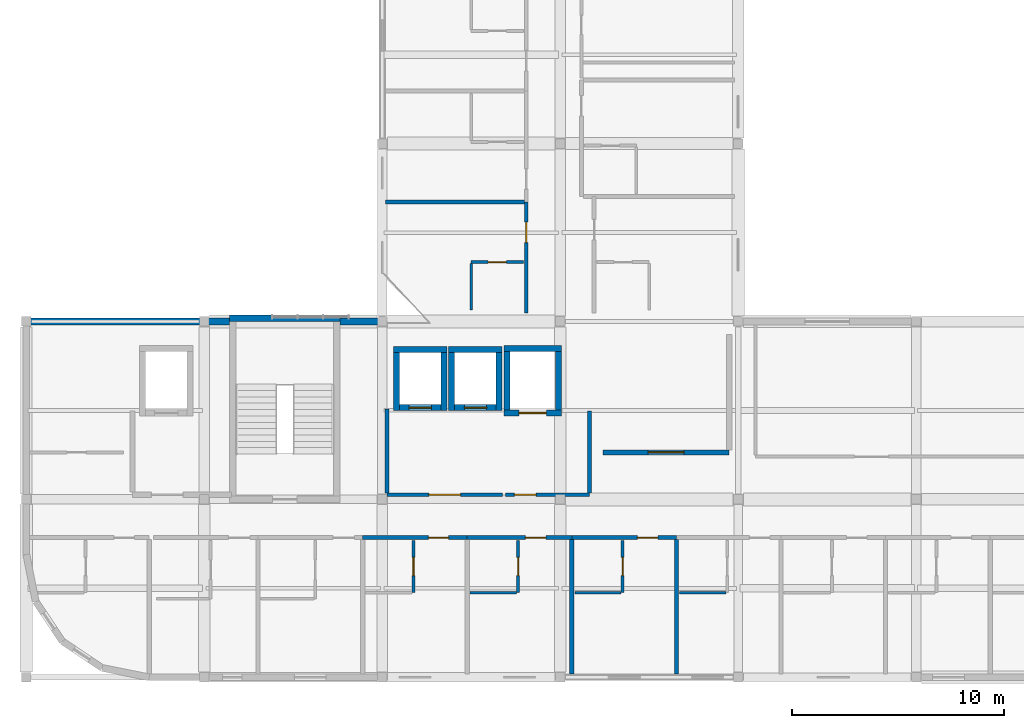
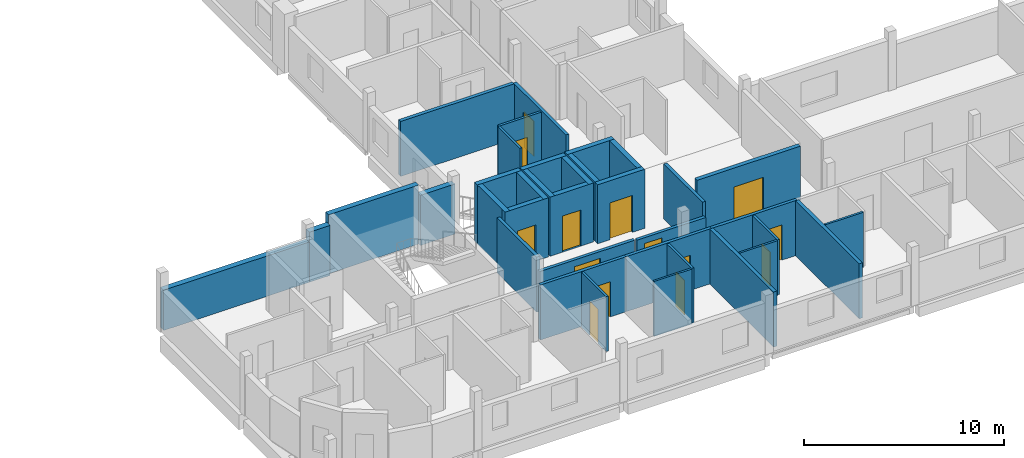
# One storey, part 10 of 19: 36 walls, 14 doors, 14 openings.
"""IFC4 building model written with IfcOpenShell, lengths in metres."""

from ifc_helpers import new_model, si_unit, derived_unit, direction, frame, frame_2d, origin, place, context, subcontext, project, spatial, rectangle, extrude, material, layer, layer_set, type_object, element, fill, save


model = new_model("IFC4")

# Units and contexts
model_context = context("Model", 3, precision=1e-05, world=origin(), true_north=direction((0.0, 1.0)))
body_context = subcontext(model_context, "Body", "Model", "MODEL_VIEW")
ifc_project = project(units=[si_unit("LENGTHUNIT", "METRE"), si_unit("AREAUNIT", "SQUARE_METRE"), si_unit("VOLUMEUNIT", "CUBIC_METRE"), si_unit("PLANEANGLEUNIT", "RADIAN"), si_unit("MASSUNIT", "GRAM", prefix="KILO"), derived_unit("THERMALTRANSMITTANCEUNIT", [(si_unit("POWERUNIT", "WATT"), 1), (si_unit("LENGTHUNIT", "METRE"), -2), (si_unit("THERMODYNAMICTEMPERATUREUNIT", "KELVIN"), -1)])], contexts=[model_context])

# Site, building, storey
site_placement = place(None, origin())
site = spatial("IfcSite", under=ifc_project, at=site_placement, CompositionType="ELEMENT")
building_placement = place(site_placement, origin())
building = spatial("IfcBuilding", under=site, at=building_placement, Name="Barrovel Congress Hotel", CompositionType="ELEMENT")
storey_placement = place(building_placement, frame((0.0, 0.0, 43.5)))
storey = spatial("IfcBuildingStorey", under=building, at=storey_placement, Name="L11", CompositionType="ELEMENT", Elevation=43.5)

# Walls
ifc_material_1 = material(Name="Fired Clay Brick Masonry", Category="masonry")
ifc_layer_1 = layer(ifc_material_1, 0.320068359375)
ifc_layer_set_1 = layer_set([ifc_layer_1], Name="Fired Clay Brick Masonry")
wall_type_1 = type_object("IfcWallType", Name="EW-BRK320", PredefinedType="STANDARD", material=ifc_layer_set_1)
wall_1_placement = place(storey_placement, frame((33.60009765625, 21.0, 0.0), z_axis=(0.0, 0.0, 1.0), x_axis=(-1.0, 0.0, 0.0)))
element("IfcWall", 1, at=wall_1_placement, inside=storey, type_object=wall_type_1, Name="EW:L11:HS-NW-1", PredefinedType="STANDARD", context=body_context, shape_type="SweptSolid", body=[
    extrude(rectangle(XDim=2.0, YDim=0.320068359375, at=frame_2d((1.0, 0.0))), origin(), (0.0, 0.0, 1.0), 3.05517578125),
])
wall_2_placement = place(storey_placement, frame((25.199951171875, 21.0, 0.0), z_axis=(0.0, 0.0, 1.0), x_axis=(-1.0, 0.0, 0.0)))
element("IfcWall", 2, at=wall_2_placement, inside=storey, type_object=wall_type_1, Name="EW:L11:HS-NW-2", PredefinedType="STANDARD", context=body_context, shape_type="SweptSolid", body=[
    extrude(rectangle(XDim=8.39990234375, YDim=0.320068359375, at=frame_2d((4.199951171875, 0.0))), origin(), (0.0, 0.0, 1.0), 2.4599609375),
])
wall_3_placement = place(storey_placement, frame((26.39990234375, 21.0, 0.0), z_axis=(0.0, 0.0, 1.0), x_axis=(-1.0, 0.0, 0.0)))
element("IfcWall", 3, at=wall_3_placement, inside=storey, type_object=wall_type_1, Name="EW:L11:HS-NW-2:P01", PredefinedType="STANDARD", context=body_context, shape_type="SweptSolid", body=[
    extrude(rectangle(XDim=1.199951171875, YDim=0.320068359375, at=frame_2d((0.60009765625, 0.0))), origin(), (0.0, 0.0, 1.0), 3.05517578125),
])

# Wall, opening, door
ifc_material_2 = material(Name="Gypsum Acoustic Stud", Category="gypsum")
ifc_layer_2 = layer(ifc_material_2, 0.179931640625)
ifc_layer_set_2 = layer_set([ifc_layer_2], Name="Gypsum Acoustic Stud")
wall_type_2 = type_object("IfcWallType", Name="PW-ACU-180", PredefinedType="PARTITIONING", material=ifc_layer_set_2)
wall_4_placement = place(storey_placement, frame((32.675048828125, 10.800048828125, 0.0), z_axis=(0.0, 0.0, 1.0), x_axis=(1.0, 0.0, 0.0)))
wall_4 = element("IfcWall", 4, at=wall_4_placement, inside=storey, type_object=wall_type_2, Name="PW:L11:U04:COR", PredefinedType="PARTITIONING", context=body_context, shape_type="SweptSolid", body=[
    extrude(rectangle(XDim=4.9375, YDim=0.179931640625, at=frame_2d((2.46875, 0.0))), origin(), (0.0, 0.0, 1.0), 3.35498046875),
])
opening_1_placement = place(wall_4_placement, frame((3.09814453125, 0.0, 0.0)))
opening_1 = element("IfcOpeningElement", 5, at=opening_1_placement, cuts=wall_4, Name="Opening ID-HTL", PredefinedType="OPENING", context=body_context, shape_type="SweptSolid", body=[
    extrude(rectangle(XDim=0.9599609375, YDim=2.14990234375, at=frame_2d((0.47998046875, 1.074951171875))), frame((0.0, 0.10009765625, 0.0), z_axis=(0.0, -1.0, 0.0), x_axis=(1.0, 0.0, 0.0)), (0.0, 0.0, 1.0), 0.199951171875),
])
ifc_material_3 = material(Name="Solid Oak Acoustic Timber Door", Category="wood")
door_type_1 = type_object("IfcDoorType", Name="IDR-ID-HTL", OperationType="NOTDEFINED", PredefinedType="DOOR", material=ifc_material_3)
door_1_placement = place(opening_1_placement, origin())
door_1 = element("IfcDoor", 6, at=door_1_placement, inside=storey, type_object=door_type_1, Name="DR:L11:U04:ENT", OperationType="SINGLE_SWING_RIGHT", OverallHeight=2.14990234375, OverallWidth=0.9599609375, PredefinedType="DOOR", context=body_context, shape_type="SweptSolid", body=[
    extrude(rectangle(XDim=0.9599609375, YDim=2.14990234375, at=frame_2d((0.47998046875, 1.074951171875))), frame((0.0, 0.02490234375, 0.0), z_axis=(0.0, -1.0, 0.0), x_axis=(1.0, 0.0, 0.0)), (0.0, 0.0, 1.0), 0.050048828125),
])
fill(opening_1, door_1)

wall_5_placement = place(storey_placement, frame((37.612548828125, 10.800048828125, 0.0), z_axis=(0.0, 0.0, 1.0), x_axis=(1.0, 0.0, 0.0)))
wall_5 = element("IfcWall", 7, at=wall_5_placement, inside=storey, type_object=wall_type_2, Name="PW:L11:U05:COR", PredefinedType="PARTITIONING", context=body_context, shape_type="SweptSolid", body=[
    extrude(rectangle(XDim=4.9375, YDim=0.179931640625, at=frame_2d((2.46875, 0.0))), origin(), (0.0, 0.0, 1.0), 3.35498046875),
])
opening_2_placement = place(wall_5_placement, frame((2.748291015625, 0.0, 0.0)))
opening_2 = element("IfcOpeningElement", 8, at=opening_2_placement, cuts=wall_5, Name="Opening ID-HTL", PredefinedType="OPENING", context=body_context, shape_type="SweptSolid", body=[
    extrude(rectangle(XDim=0.9599609375, YDim=2.14990234375, at=frame_2d((0.47998046875, 1.074951171875))), frame((0.0, 0.10009765625, 0.0), z_axis=(0.0, -1.0, 0.0), x_axis=(1.0, 0.0, 0.0)), (0.0, 0.0, 1.0), 0.199951171875),
])
door_2_placement = place(opening_2_placement, origin())
door_2 = element("IfcDoor", 9, at=door_2_placement, inside=storey, type_object=door_type_1, Name="DR:L11:U05:ENT", OperationType="SINGLE_SWING_RIGHT", OverallHeight=2.14990234375, OverallWidth=0.9599609375, PredefinedType="DOOR", context=body_context, shape_type="SweptSolid", body=[
    extrude(rectangle(XDim=0.9599609375, YDim=2.14990234375, at=frame_2d((0.47998046875, 1.074951171875))), frame((0.0, 0.02490234375, 0.0), z_axis=(0.0, -1.0, 0.0), x_axis=(1.0, 0.0, 0.0)), (0.0, 0.0, 1.0), 0.050048828125),
])
fill(opening_2, door_2)

wall_6_placement = place(storey_placement, frame((42.550048828125, 10.800048828125, 0.0), z_axis=(0.0, 0.0, 1.0), x_axis=(1.0, 0.0, 0.0)))
wall_6 = element("IfcWall", 10, at=wall_6_placement, inside=storey, type_object=wall_type_2, Name="PW:L11:U06:COR", PredefinedType="PARTITIONING", context=body_context, shape_type="SweptSolid", body=[
    extrude(rectangle(XDim=4.9375, YDim=0.179931640625, at=frame_2d((2.46875, 0.0))), origin(), (0.0, 0.0, 1.0), 3.35498046875),
])
opening_3_placement = place(wall_6_placement, frame((3.09814453125, 0.0, 0.0)))
opening_3 = element("IfcOpeningElement", 11, at=opening_3_placement, cuts=wall_6, Name="Opening ID-HTL", PredefinedType="OPENING", context=body_context, shape_type="SweptSolid", body=[
    extrude(rectangle(XDim=0.9599609375, YDim=2.14990234375, at=frame_2d((0.47998046875, 1.074951171875))), frame((0.0, 0.10009765625, 0.0), z_axis=(0.0, -1.0, 0.0), x_axis=(1.0, 0.0, 0.0)), (0.0, 0.0, 1.0), 0.199951171875),
])
door_3_placement = place(opening_3_placement, origin())
door_3 = element("IfcDoor", 12, at=door_3_placement, inside=storey, type_object=door_type_1, Name="DR:L11:U06:ENT", OperationType="SINGLE_SWING_RIGHT", OverallHeight=2.14990234375, OverallWidth=0.9599609375, PredefinedType="DOOR", context=body_context, shape_type="SweptSolid", body=[
    extrude(rectangle(XDim=0.9599609375, YDim=2.14990234375, at=frame_2d((0.47998046875, 1.074951171875))), frame((0.0, 0.02490234375, 0.0), z_axis=(0.0, -1.0, 0.0), x_axis=(1.0, 0.0, 0.0)), (0.0, 0.0, 1.0), 0.050048828125),
])
fill(opening_3, door_3)

wall_7_placement = place(storey_placement, frame((40.39990234375, 21.39990234375, 0.0), z_axis=(0.0, 0.0, 1.0), x_axis=(0.0, 1.0, 0.0)))
wall_7 = element("IfcWall", 13, at=wall_7_placement, inside=storey, type_object=wall_type_2, Name="PW:L11:U18:COR", PredefinedType="PARTITIONING", context=body_context, shape_type="SweptSolid", body=[
    extrude(rectangle(XDim=5.239990234375, YDim=0.179931640625, at=frame_2d((2.6201171875, 0.0))), origin(), (0.0, 0.0, 1.0), 3.35498046875),
])
opening_4_placement = place(wall_7_placement, frame((3.324951171875, 0.0, 0.0)))
opening_4 = element("IfcOpeningElement", 14, at=opening_4_placement, cuts=wall_7, Name="Opening ID-HTL", PredefinedType="OPENING", context=body_context, shape_type="SweptSolid", body=[
    extrude(rectangle(XDim=0.9599609375, YDim=2.14990234375, at=frame_2d((0.47998046875, 1.074951171875))), frame((0.0, 0.10009765625, 0.0), z_axis=(0.0, -1.0, 0.0), x_axis=(1.0, 0.0, 0.0)), (0.0, 0.0, 1.0), 0.199951171875),
])
door_4_placement = place(opening_4_placement, origin())
door_4 = element("IfcDoor", 15, at=door_4_placement, inside=storey, type_object=door_type_1, Name="DR:L11:U18:ENT", OperationType="SINGLE_SWING_RIGHT", OverallHeight=2.14990234375, OverallWidth=0.9599609375, PredefinedType="DOOR", context=body_context, shape_type="SweptSolid", body=[
    extrude(rectangle(XDim=0.9599609375, YDim=2.14990234375, at=frame_2d((0.47998046875, 1.074951171875))), frame((0.0, 0.02490234375, 0.0), z_axis=(0.0, -1.0, 0.0), x_axis=(1.0, 0.0, 0.0)), (0.0, 0.0, 1.0), 0.050048828125),
])
fill(opening_4, door_4)

wall_8_placement = place(storey_placement, frame((33.820068359375, 12.820068359375, 0.0), z_axis=(0.0, 0.0, 1.0), x_axis=(1.0, 0.0, 0.0)))
wall_8 = element("IfcWall", 16, at=wall_8_placement, inside=storey, type_object=wall_type_2, Name="RW:SP:L11:LL-C1:S", PredefinedType="PARTITIONING", context=body_context, shape_type="SweptSolid", body=[
    extrude(rectangle(XDim=5.4599609375, YDim=0.179931640625, at=frame_2d((2.72998046875, 0.0))), origin(), (0.0, 0.0, 1.0), 2.56005859375),
])
opening_5_placement = place(wall_8_placement, frame((1.97998046875, 0.0, 0.0)))
opening_5 = element("IfcOpeningElement", 17, at=opening_5_placement, cuts=wall_8, Name="Opening ID-FFL", PredefinedType="OPENING", context=body_context, shape_type="SweptSolid", body=[
    extrude(rectangle(XDim=1.5, YDim=2.14990234375, at=frame_2d((0.75, 1.074951171875))), frame((0.0, 0.10009765625, 0.0), z_axis=(0.0, -1.0, 0.0), x_axis=(1.0, 0.0, 0.0)), (0.0, 0.0, 1.0), 0.199951171875),
])
ifc_material_4 = material(Name="Painted Hollow-Metal Steel Door", Category="steel")
door_type_2 = type_object("IfcDoorType", Name="IDR-ID-FFL", OperationType="NOTDEFINED", PredefinedType="DOOR", material=ifc_material_4)
door_5_placement = place(opening_5_placement, origin())
door_5 = element("IfcDoor", 18, at=door_5_placement, inside=storey, type_object=door_type_2, Name="RD:SP:L11:LL-C1", OperationType="DOUBLE_DOOR_SINGLE_SWING", OverallHeight=2.14990234375, OverallWidth=1.5, PredefinedType="DOOR", context=body_context, shape_type="SweptSolid", body=[
    extrude(rectangle(XDim=1.5, YDim=2.14990234375, at=frame_2d((0.75, 1.074951171875))), frame((0.0, 0.02490234375, 0.0), z_axis=(0.0, -1.0, 0.0), x_axis=(1.0, 0.0, 0.0)), (0.0, 0.0, 1.0), 0.050048828125),
])
fill(opening_5, door_5)

# Wall
wall_9_placement = place(storey_placement, frame((33.820068359375, 12.909912109375, 0.0), z_axis=(0.0, 0.0, 1.0), x_axis=(0.0, 1.0, 0.0)))
element("IfcWall", 19, at=wall_9_placement, inside=storey, type_object=wall_type_2, Name="RW:SP:L11:LL-C1:W", PredefinedType="PARTITIONING", context=body_context, shape_type="SweptSolid", body=[
    extrude(rectangle(XDim=3.969970703125, YDim=0.179931640625, at=frame_2d((1.98486328125, 0.0))), origin(), (0.0, 0.0, 1.0), 3.35498046875),
])

# Wall, opening, door
wall_10_placement = place(storey_placement, frame((39.419921875, 12.820068359375, 0.0), z_axis=(0.0, 0.0, 1.0), x_axis=(1.0, 0.0, 0.0)))
wall_10 = element("IfcWall", 20, at=wall_10_placement, inside=storey, type_object=wall_type_2, Name="RW:SP:L11:LL-SL1:S", PredefinedType="PARTITIONING", context=body_context, shape_type="SweptSolid", body=[
    extrude(rectangle(XDim=3.9599609375, YDim=0.179931640625, at=frame_2d((1.97998046875, 0.0))), origin(), (0.0, 0.0, 1.0), 2.510009765625),
])
opening_6_placement = place(wall_10_placement, frame((0.419921875, 0.0, 0.0)))
opening_6 = element("IfcOpeningElement", 21, at=opening_6_placement, cuts=wall_10, Name="Opening ID-ACC", PredefinedType="OPENING", context=body_context, shape_type="SweptSolid", body=[
    extrude(rectangle(XDim=1.02001953125, YDim=2.14990234375, at=frame_2d((0.510009765625, 1.074951171875))), frame((0.0, 0.10009765625, 0.0), z_axis=(0.0, -1.0, 0.0), x_axis=(1.0, 0.0, 0.0)), (0.0, 0.0, 1.0), 0.199951171875),
])
door_type_3 = type_object("IfcDoorType", Name="IDR-ID-ACC", OperationType="NOTDEFINED", PredefinedType="DOOR", material=ifc_material_3)
door_6_placement = place(opening_6_placement, origin())
door_6 = element("IfcDoor", 22, at=door_6_placement, inside=storey, type_object=door_type_3, Name="RD:SP:L11:LL-SL1", OperationType="SINGLE_SWING_RIGHT", OverallHeight=2.14990234375, OverallWidth=1.02001953125, PredefinedType="DOOR", context=body_context, shape_type="SweptSolid", body=[
    extrude(rectangle(XDim=1.02001953125, YDim=2.14990234375, at=frame_2d((0.510009765625, 1.074951171875))), frame((0.0, 0.02490234375, 0.0), z_axis=(0.0, -1.0, 0.0), x_axis=(1.0, 0.0, 0.0)), (0.0, 0.0, 1.0), 0.050048828125),
])
fill(opening_6, door_6)

# Walls
wall_11_placement = place(storey_placement, frame((43.3798828125, 12.909912109375, 0.0), z_axis=(0.0, 0.0, 1.0), x_axis=(0.0, 1.0, 0.0)))
element("IfcWall", 23, at=wall_11_placement, inside=storey, type_object=wall_type_2, Name="RW:SP:L11:LL-SL1:E", PredefinedType="PARTITIONING", context=body_context, shape_type="SweptSolid", body=[
    extrude(rectangle(XDim=3.8701171875, YDim=0.179931640625, at=frame_2d((1.93505859375, 0.0))), origin(), (0.0, 0.0, 1.0), 3.35498046875),
])
ifc_layer_3 = layer(ifc_material_2, 0.1201171875)
ifc_layer_set_3 = layer_set([ifc_layer_3], Name="Gypsum Acoustic Stud")
wall_type_3 = type_object("IfcWallType", Name="PW-INT-120", PredefinedType="PARTITIONING", material=ifc_layer_set_3)
for number, where, z_axis, x_axis, name in (
    (24, (37.75244140625, 8.199951171875, 0.0), (0.0, 0.0, 1.0), (1.0, 0.0, 0.0), "PW:L11:U05:B2"),
    (25, (42.68994140625, 8.199951171875, 0.0), (0.0, 0.0, 1.0), (1.0, 0.0, 0.0), "PW:L11:U06:B2"),
    (26, (47.62744140625, 8.199951171875, 0.0), (0.0, 0.0, 1.0), (1.0, 0.0, 0.0), "PW:L11:U07:B2"),
    (27, (37.800048828125, 21.5400390625, 0.0), (0.0, 0.0, 1.0), (0.0, 1.0, 0.0), "PW:L11:U18:B2"),
):
    element("IfcWall", number, at=place(storey_placement, frame(where, z_axis=z_axis, x_axis=x_axis)), inside=storey, type_object=wall_type_3, Name=name, PredefinedType="PARTITIONING", context=body_context, shape_type="SweptSolid", body=[
        extrude(rectangle(XDim=2.18994140625, YDim=0.1201171875, at=frame_2d((1.094970703125, 0.0))), origin(), (0.0, 0.0, 1.0), 3.35498046875),
    ])
ifc_layer_4 = layer(ifc_material_1, 0.199951171875)
ifc_layer_set_4 = layer_set([ifc_layer_4], Name="Fired Clay Brick Masonry")
wall_type_4 = type_object("IfcWallType", Name="PW-MAS-200", PredefinedType="PARTITIONING", material=ifc_layer_set_4)
for number, where, z_axis, x_axis, name in (
    (28, (42.550048828125, 4.360107421875, 0.0), (0.0, 0.0, 1.0), (0.0, 1.0, 0.0), "PW:L11:U05:DEM"),
    (29, (47.487548828125, 4.360107421875, 0.0), (0.0, 0.0, 1.0), (0.0, 1.0, 0.0), "PW:L11:U06:DEM"),
):
    element("IfcWall", number, at=place(storey_placement, frame(where, z_axis=z_axis, x_axis=x_axis)), inside=storey, type_object=wall_type_4, Name=name, PredefinedType="PARTITIONING", context=body_context, shape_type="SweptSolid", body=[
        extrude(rectangle(XDim=6.349853515625, YDim=0.199951171875, at=frame_2d((3.1748046875, 0.0))), origin(), (0.0, 0.0, 1.0), 3.35498046875),
    ])
wall_12_placement = place(storey_placement, frame((33.760009765625, 26.639892578125, 0.0), z_axis=(0.0, 0.0, 1.0), x_axis=(1.0, 0.0, 0.0)))
element("IfcWall", 30, at=wall_12_placement, inside=storey, type_object=wall_type_4, Name="PW:L11:U18:DEM", PredefinedType="PARTITIONING", context=body_context, shape_type="SweptSolid", body=[
    extrude(rectangle(XDim=6.550048828125, YDim=0.199951171875, at=frame_2d((3.27490234375, 0.0))), origin(), (0.0, 0.0, 1.0), 3.35498046875),
])

# Wall, opening, door
ifc_layer_5 = layer(ifc_material_1, 0.239990234375)
ifc_layer_set_5 = layer_set([ifc_layer_5], Name="Fired Clay Brick Masonry")
wall_type_5 = type_object("IfcWallType", Name="PW-MAS-240", PredefinedType="PARTITIONING", material=ifc_layer_set_5)
wall_13_placement = place(storey_placement, frame((44.02001953125, 14.820068359375, 0.0), z_axis=(0.0, 0.0, 1.0), x_axis=(1.0, 0.0, 0.0)))
wall_13 = element("IfcWall", 31, at=wall_13_placement, inside=storey, type_object=wall_type_5, Name="RW:SP:L11:LINEN:S", PredefinedType="PARTITIONING", context=body_context, shape_type="SweptSolid", body=[
    extrude(rectangle(XDim=5.9599609375, YDim=0.239990234375, at=frame_2d((2.97998046875, 0.0))), origin(), (0.0, 0.0, 1.0), 3.35498046875),
])
opening_7_placement = place(wall_13_placement, frame((2.1298828125, 0.0, 0.0)))
opening_7 = element("IfcOpeningElement", 32, at=opening_7_placement, cuts=wall_13, Name="Opening ID-KIT", PredefinedType="OPENING", context=body_context, shape_type="SweptSolid", body=[
    extrude(rectangle(XDim=1.699951171875, YDim=2.199951171875, at=frame_2d((0.85009765625, 1.10009765625))), frame((0.0, 0.1298828125, 0.0), z_axis=(0.0, -1.0, 0.0), x_axis=(1.0, 0.0, 0.0)), (0.0, 0.0, 1.0), 0.260009765625),
])
ifc_material_5 = material(Name="Brushed Stainless Steel", Category="steel")
door_type_4 = type_object("IfcDoorType", Name="IDR-ID-KIT", OperationType="NOTDEFINED", PredefinedType="DOOR", material=ifc_material_5)
door_7_placement = place(opening_7_placement, origin())
door_7 = element("IfcDoor", 33, at=door_7_placement, inside=storey, type_object=door_type_4, Name="RD:SP:L11:LINEN", OperationType="DOUBLE_DOOR_SINGLE_SWING", OverallHeight=2.199951171875, OverallWidth=1.699951171875, PredefinedType="DOOR", context=body_context, shape_type="SweptSolid", body=[
    extrude(rectangle(XDim=1.699951171875, YDim=2.199951171875, at=frame_2d((0.85009765625, 1.10009765625))), frame((0.0, 0.02490234375, 0.0), z_axis=(0.0, -1.0, 0.0), x_axis=(1.0, 0.0, 0.0)), (0.0, 0.0, 1.0), 0.050048828125),
])
fill(opening_7, door_7)

ifc_material_6 = material(Name="Gypsum Moisture Board", Category="gypsum")
ifc_layer_6 = layer(ifc_material_6, 0.139892578125)
ifc_layer_set_6 = layer_set([ifc_layer_6], Name="Gypsum Moisture Board")
wall_type_6 = type_object("IfcWallType", Name="PW-WET-140", PredefinedType="PARTITIONING", material=ifc_layer_set_6)
wall_14_placement = place(storey_placement, frame((35.074951171875, 8.199951171875, 0.0), z_axis=(0.0, 0.0, 1.0), x_axis=(0.0, 1.0, 0.0)))
wall_14 = element("IfcWall", 34, at=wall_14_placement, inside=storey, type_object=wall_type_6, Name="PW:L11:U04:B1", PredefinedType="PARTITIONING", context=body_context, shape_type="SweptSolid", body=[
    extrude(rectangle(XDim=2.4599609375, YDim=0.139892578125, at=frame_2d((1.22998046875, 0.0))), origin(), (0.0, 0.0, 1.0), 3.35498046875),
])
opening_8_placement = place(wall_14_placement, frame((0.800048828125, 0.0, 0.0)))
opening_8 = element("IfcOpeningElement", 35, at=opening_8_placement, cuts=wall_14, Name="Opening ID-ENS", PredefinedType="OPENING", context=body_context, shape_type="SweptSolid", body=[
    extrude(rectangle(XDim=0.860107421875, YDim=2.10009765625, at=frame_2d((0.43017578125, 1.050048828125))), frame((0.0, 0.080078125, 0.0), z_axis=(0.0, -1.0, 0.0), x_axis=(1.0, 0.0, 0.0)), (0.0, 0.0, 1.0), 0.159912109375),
])
ifc_material_7 = material(Name="Lacquered Timber Moisture Door", Category="wood")
door_type_5 = type_object("IfcDoorType", Name="IDR-ID-ENS", OperationType="NOTDEFINED", PredefinedType="DOOR", material=ifc_material_7)
door_8_placement = place(opening_8_placement, origin())
door_8 = element("IfcDoor", 36, at=door_8_placement, inside=storey, type_object=door_type_5, Name="DR:L11:U04:ENS", OperationType="SINGLE_SWING_LEFT", OverallHeight=2.10009765625, OverallWidth=0.860107421875, PredefinedType="DOOR", context=body_context, shape_type="SweptSolid", body=[
    extrude(rectangle(XDim=0.860107421875, YDim=2.10009765625, at=frame_2d((0.43017578125, 1.050048828125))), frame((0.0, 0.02490234375, 0.0), z_axis=(0.0, -1.0, 0.0), x_axis=(1.0, 0.0, 0.0)), (0.0, 0.0, 1.0), 0.050048828125),
])
fill(opening_8, door_8)

wall_15_placement = place(storey_placement, frame((40.012451171875, 8.199951171875, 0.0), z_axis=(0.0, 0.0, 1.0), x_axis=(0.0, 1.0, 0.0)))
wall_15 = element("IfcWall", 37, at=wall_15_placement, inside=storey, type_object=wall_type_6, Name="PW:L11:U05:B1", PredefinedType="PARTITIONING", context=body_context, shape_type="SweptSolid", body=[
    extrude(rectangle(XDim=2.4599609375, YDim=0.139892578125, at=frame_2d((1.22998046875, 0.0))), origin(), (0.0, 0.0, 1.0), 3.35498046875),
])
opening_9_placement = place(wall_15_placement, frame((0.800048828125, 0.0, 0.0)))
opening_9 = element("IfcOpeningElement", 38, at=opening_9_placement, cuts=wall_15, Name="Opening ID-ENS", PredefinedType="OPENING", context=body_context, shape_type="SweptSolid", body=[
    extrude(rectangle(XDim=0.860107421875, YDim=2.10009765625, at=frame_2d((0.43017578125, 1.050048828125))), frame((0.0, 0.080078125, 0.0), z_axis=(0.0, -1.0, 0.0), x_axis=(1.0, 0.0, 0.0)), (0.0, 0.0, 1.0), 0.159912109375),
])
door_9_placement = place(opening_9_placement, origin())
door_9 = element("IfcDoor", 39, at=door_9_placement, inside=storey, type_object=door_type_5, Name="DR:L11:U05:ENS", OperationType="SINGLE_SWING_LEFT", OverallHeight=2.10009765625, OverallWidth=0.860107421875, PredefinedType="DOOR", context=body_context, shape_type="SweptSolid", body=[
    extrude(rectangle(XDim=0.860107421875, YDim=2.10009765625, at=frame_2d((0.43017578125, 1.050048828125))), frame((0.0, 0.02490234375, 0.0), z_axis=(0.0, -1.0, 0.0), x_axis=(1.0, 0.0, 0.0)), (0.0, 0.0, 1.0), 0.050048828125),
])
fill(opening_9, door_9)

wall_16_placement = place(storey_placement, frame((44.949951171875, 8.199951171875, 0.0), z_axis=(0.0, 0.0, 1.0), x_axis=(0.0, 1.0, 0.0)))
wall_16 = element("IfcWall", 40, at=wall_16_placement, inside=storey, type_object=wall_type_6, Name="PW:L11:U06:B1", PredefinedType="PARTITIONING", context=body_context, shape_type="SweptSolid", body=[
    extrude(rectangle(XDim=2.4599609375, YDim=0.139892578125, at=frame_2d((1.22998046875, 0.0))), origin(), (0.0, 0.0, 1.0), 3.35498046875),
])
opening_10_placement = place(wall_16_placement, frame((0.800048828125, 0.0, 0.0)))
opening_10 = element("IfcOpeningElement", 41, at=opening_10_placement, cuts=wall_16, Name="Opening ID-ENS", PredefinedType="OPENING", context=body_context, shape_type="SweptSolid", body=[
    extrude(rectangle(XDim=0.860107421875, YDim=2.10009765625, at=frame_2d((0.43017578125, 1.050048828125))), frame((0.0, 0.080078125, 0.0), z_axis=(0.0, -1.0, 0.0), x_axis=(1.0, 0.0, 0.0)), (0.0, 0.0, 1.0), 0.159912109375),
])
door_10_placement = place(opening_10_placement, origin())
door_10 = element("IfcDoor", 42, at=door_10_placement, inside=storey, type_object=door_type_5, Name="DR:L11:U06:ENS", OperationType="SINGLE_SWING_LEFT", OverallHeight=2.10009765625, OverallWidth=0.860107421875, PredefinedType="DOOR", context=body_context, shape_type="SweptSolid", body=[
    extrude(rectangle(XDim=0.860107421875, YDim=2.10009765625, at=frame_2d((0.43017578125, 1.050048828125))), frame((0.0, 0.02490234375, 0.0), z_axis=(0.0, -1.0, 0.0), x_axis=(1.0, 0.0, 0.0)), (0.0, 0.0, 1.0), 0.050048828125),
])
fill(opening_10, door_10)

wall_17_placement = place(storey_placement, frame((37.800048828125, 23.800048828125, 0.0), z_axis=(0.0, 0.0, 1.0), x_axis=(1.0, 0.0, 0.0)))
wall_17 = element("IfcWall", 43, at=wall_17_placement, inside=storey, type_object=wall_type_6, Name="PW:L11:U18:B1", PredefinedType="PARTITIONING", context=body_context, shape_type="SweptSolid", body=[
    extrude(rectangle(XDim=2.4599609375, YDim=0.139892578125, at=frame_2d((1.22998046875, 0.0))), origin(), (0.0, 0.0, 1.0), 3.35498046875),
])
opening_11_placement = place(wall_17_placement, frame((0.800048828125, 0.0, 0.0)))
opening_11 = element("IfcOpeningElement", 44, at=opening_11_placement, cuts=wall_17, Name="Opening ID-ENS", PredefinedType="OPENING", context=body_context, shape_type="SweptSolid", body=[
    extrude(rectangle(XDim=0.860107421875, YDim=2.10009765625, at=frame_2d((0.43017578125, 1.050048828125))), frame((0.0, 0.080078125, 0.0), z_axis=(0.0, -1.0, 0.0), x_axis=(1.0, 0.0, 0.0)), (0.0, 0.0, 1.0), 0.159912109375),
])
door_11_placement = place(opening_11_placement, origin())
door_11 = element("IfcDoor", 45, at=door_11_placement, inside=storey, type_object=door_type_5, Name="DR:L11:U18:ENS", OperationType="SINGLE_SWING_LEFT", OverallHeight=2.10009765625, OverallWidth=0.860107421875, PredefinedType="DOOR", context=body_context, shape_type="SweptSolid", body=[
    extrude(rectangle(XDim=0.860107421875, YDim=2.10009765625, at=frame_2d((0.43017578125, 1.050048828125))), frame((0.0, 0.02490234375, 0.0), z_axis=(0.0, -1.0, 0.0), x_axis=(1.0, 0.0, 0.0)), (0.0, 0.0, 1.0), 0.050048828125),
])
fill(opening_11, door_11)

ifc_material_8 = material(Name="Concrete C40", Category="concrete")
ifc_layer_7 = layer(ifc_material_8, 0.280029296875)
ifc_layer_set_7 = layer_set([ifc_layer_7], Name="Concrete C40")
wall_type_7 = type_object("IfcWallType", Name="SW-C40-280", PredefinedType="SHEAR", material=ifc_layer_set_7)
wall_18_placement = place(storey_placement, frame((34.139892578125, 16.929931640625, 0.0), z_axis=(0.0, 0.0, 1.0), x_axis=(1.0, 0.0, 0.0)))
wall_18 = element("IfcWall", 46, at=wall_18_placement, inside=storey, type_object=wall_type_7, Name="LSH:PL-1:L11:S", PredefinedType="SHEAR", context=body_context, shape_type="SweptSolid", body=[
    extrude(rectangle(XDim=2.52001953125, YDim=0.280029296875, at=frame_2d((1.260009765625, 0.0))), origin(), (0.0, 0.0, 1.0), 3.60009765625),
])
opening_12_placement = place(wall_18_placement, frame((0.735107421875, 0.0, 0.0)))
opening_12 = element("IfcOpeningElement", 47, at=opening_12_placement, cuts=wall_18, Name="Opening LD-PAX", PredefinedType="OPENING", context=body_context, shape_type="SweptSolid", body=[
    extrude(rectangle(XDim=1.050048828125, YDim=2.199951171875, at=frame_2d((0.52490234375, 1.10009765625))), frame((0.0, 0.14990234375, 0.0), z_axis=(0.0, -1.0, 0.0), x_axis=(1.0, 0.0, 0.0)), (0.0, 0.0, 1.0), 0.300048828125),
])
door_type_6 = type_object("IfcDoorType", Name="IDR-LD-PAX", OperationType="NOTDEFINED", PredefinedType="DOOR", material=ifc_material_5)
door_12_placement = place(opening_12_placement, origin())
door_12 = element("IfcDoor", 48, at=door_12_placement, inside=storey, type_object=door_type_6, Name="Lift Landing Door LD-PL-1-L11", OperationType="SLIDING_TO_LEFT", OverallHeight=2.199951171875, OverallWidth=1.050048828125, PredefinedType="DOOR", context=body_context, shape_type="SweptSolid", body=[
    extrude(rectangle(XDim=1.050048828125, YDim=2.199951171875, at=frame_2d((0.52490234375, 1.10009765625))), frame((0.0, 0.02490234375, 0.0), z_axis=(0.0, -1.0, 0.0), x_axis=(1.0, 0.0, 0.0)), (0.0, 0.0, 1.0), 0.050048828125),
])
fill(opening_12, door_12)

# Walls
wall_19_placement = place(storey_placement, frame((36.52001953125, 16.7900390625, 0.0), z_axis=(0.0, 0.0, 1.0), x_axis=(0.0, 1.0, 0.0)))
element("IfcWall", 49, at=wall_19_placement, inside=storey, type_object=wall_type_7, Name="LSH:PL-1:L11:E", PredefinedType="SHEAR", context=body_context, shape_type="SweptSolid", body=[
    extrude(rectangle(XDim=3.02001953125, YDim=0.280029296875, at=frame_2d((1.510009765625, 0.0))), origin(), (0.0, 0.0, 1.0), 3.60009765625),
])
wall_20_placement = place(storey_placement, frame((36.659912109375, 19.669921875, 0.0), z_axis=(0.0, 0.0, 1.0), x_axis=(-1.0, 0.0, 0.0)))
element("IfcWall", 50, at=wall_20_placement, inside=storey, type_object=wall_type_7, Name="LSH:PL-1:L11:N", PredefinedType="SHEAR", context=body_context, shape_type="SweptSolid", body=[
    extrude(rectangle(XDim=2.52001953125, YDim=0.280029296875, at=frame_2d((1.260009765625, 0.0))), origin(), (0.0, 0.0, 1.0), 3.60009765625),
])
wall_21_placement = place(storey_placement, frame((34.280029296875, 19.81005859375, 0.0), z_axis=(0.0, 0.0, 1.0), x_axis=(0.0, -1.0, 0.0)))
element("IfcWall", 51, at=wall_21_placement, inside=storey, type_object=wall_type_7, Name="LSH:PL-1:L11:W", PredefinedType="SHEAR", context=body_context, shape_type="SweptSolid", body=[
    extrude(rectangle(XDim=3.02001953125, YDim=0.280029296875, at=frame_2d((1.510009765625, 0.0))), origin(), (0.0, 0.0, 1.0), 3.60009765625),
])

# Wall, opening, door
wall_22_placement = place(storey_placement, frame((36.739990234375, 16.929931640625, 0.0), z_axis=(0.0, 0.0, 1.0), x_axis=(1.0, 0.0, 0.0)))
wall_22 = element("IfcWall", 52, at=wall_22_placement, inside=storey, type_object=wall_type_7, Name="LSH:PL-2:L11:S", PredefinedType="SHEAR", context=body_context, shape_type="SweptSolid", body=[
    extrude(rectangle(XDim=2.52001953125, YDim=0.280029296875, at=frame_2d((1.260009765625, 0.0))), origin(), (0.0, 0.0, 1.0), 3.60009765625),
])
opening_13_placement = place(wall_22_placement, frame((0.735107421875, 0.0, 0.0)))
opening_13 = element("IfcOpeningElement", 53, at=opening_13_placement, cuts=wall_22, Name="Opening LD-PAX", PredefinedType="OPENING", context=body_context, shape_type="SweptSolid", body=[
    extrude(rectangle(XDim=1.050048828125, YDim=2.199951171875, at=frame_2d((0.52490234375, 1.10009765625))), frame((0.0, 0.14990234375, 0.0), z_axis=(0.0, -1.0, 0.0), x_axis=(1.0, 0.0, 0.0)), (0.0, 0.0, 1.0), 0.300048828125),
])
door_13_placement = place(opening_13_placement, origin())
door_13 = element("IfcDoor", 54, at=door_13_placement, inside=storey, type_object=door_type_6, Name="Lift Landing Door LD-PL-2-L11", OperationType="SLIDING_TO_LEFT", OverallHeight=2.199951171875, OverallWidth=1.050048828125, PredefinedType="DOOR", context=body_context, shape_type="SweptSolid", body=[
    extrude(rectangle(XDim=1.050048828125, YDim=2.199951171875, at=frame_2d((0.52490234375, 1.10009765625))), frame((0.0, 0.02490234375, 0.0), z_axis=(0.0, -1.0, 0.0), x_axis=(1.0, 0.0, 0.0)), (0.0, 0.0, 1.0), 0.050048828125),
])
fill(opening_13, door_13)

# Walls
wall_23_placement = place(storey_placement, frame((39.1201171875, 16.7900390625, 0.0), z_axis=(0.0, 0.0, 1.0), x_axis=(0.0, 1.0, 0.0)))
element("IfcWall", 55, at=wall_23_placement, inside=storey, type_object=wall_type_7, Name="LSH:PL-2:L11:E", PredefinedType="SHEAR", context=body_context, shape_type="SweptSolid", body=[
    extrude(rectangle(XDim=3.02001953125, YDim=0.280029296875, at=frame_2d((1.510009765625, 0.0))), origin(), (0.0, 0.0, 1.0), 3.60009765625),
])
wall_24_placement = place(storey_placement, frame((39.260009765625, 19.669921875, 0.0), z_axis=(0.0, 0.0, 1.0), x_axis=(-1.0, 0.0, 0.0)))
element("IfcWall", 56, at=wall_24_placement, inside=storey, type_object=wall_type_7, Name="LSH:PL-2:L11:N", PredefinedType="SHEAR", context=body_context, shape_type="SweptSolid", body=[
    extrude(rectangle(XDim=2.52001953125, YDim=0.280029296875, at=frame_2d((1.260009765625, 0.0))), origin(), (0.0, 0.0, 1.0), 3.60009765625),
])
wall_25_placement = place(storey_placement, frame((36.8798828125, 19.81005859375, 0.0), z_axis=(0.0, 0.0, 1.0), x_axis=(0.0, -1.0, 0.0)))
element("IfcWall", 57, at=wall_25_placement, inside=storey, type_object=wall_type_7, Name="LSH:PL-2:L11:W", PredefinedType="SHEAR", context=body_context, shape_type="SweptSolid", body=[
    extrude(rectangle(XDim=3.02001953125, YDim=0.280029296875, at=frame_2d((1.510009765625, 0.0))), origin(), (0.0, 0.0, 1.0), 3.60009765625),
])

# Wall, opening, door
wall_26_placement = place(storey_placement, frame((39.340087890625, 16.679931640625, 0.0), z_axis=(0.0, 0.0, 1.0), x_axis=(1.0, 0.0, 0.0)))
wall_26 = element("IfcWall", 58, at=wall_26_placement, inside=storey, type_object=wall_type_7, Name="LSH:SL-1:L11:S", PredefinedType="SHEAR", context=body_context, shape_type="SweptSolid", body=[
    extrude(rectangle(XDim=2.719970703125, YDim=0.280029296875, at=frame_2d((1.35986328125, 0.0))), origin(), (0.0, 0.0, 1.0), 3.60009765625),
])
opening_14_placement = place(wall_26_placement, frame((0.7099609375, 0.0, 0.0)))
opening_14 = element("IfcOpeningElement", 59, at=opening_14_placement, cuts=wall_26, Name="Opening LD-SRV", PredefinedType="OPENING", context=body_context, shape_type="SweptSolid", body=[
    extrude(rectangle(XDim=1.300048828125, YDim=2.25, at=frame_2d((0.64990234375, 1.125))), frame((0.0, 0.14990234375, 0.0), z_axis=(0.0, -1.0, 0.0), x_axis=(1.0, 0.0, 0.0)), (0.0, 0.0, 1.0), 0.300048828125),
])
door_type_7 = type_object("IfcDoorType", Name="IDR-LD-SRV", OperationType="NOTDEFINED", PredefinedType="DOOR", material=ifc_material_5)
door_14_placement = place(opening_14_placement, origin())
door_14 = element("IfcDoor", 60, at=door_14_placement, inside=storey, type_object=door_type_7, Name="Lift Landing Door LD-SL-1-L11", OperationType="SLIDING_TO_LEFT", OverallHeight=2.25, OverallWidth=1.300048828125, PredefinedType="DOOR", context=body_context, shape_type="SweptSolid", body=[
    extrude(rectangle(XDim=1.300048828125, YDim=2.25, at=frame_2d((0.64990234375, 1.125))), frame((0.0, 0.02490234375, 0.0), z_axis=(0.0, -1.0, 0.0), x_axis=(1.0, 0.0, 0.0)), (0.0, 0.0, 1.0), 0.050048828125),
])
fill(opening_14, door_14)

# Walls
wall_27_placement = place(storey_placement, frame((41.919921875, 16.5400390625, 0.0), z_axis=(0.0, 0.0, 1.0), x_axis=(0.0, 1.0, 0.0)))
element("IfcWall", 61, at=wall_27_placement, inside=storey, type_object=wall_type_7, Name="LSH:SL-1:L11:E", PredefinedType="SHEAR", context=body_context, shape_type="SweptSolid", body=[
    extrude(rectangle(XDim=3.320068359375, YDim=0.280029296875, at=frame_2d((1.66015625, 0.0))), origin(), (0.0, 0.0, 1.0), 3.60009765625),
])
wall_28_placement = place(storey_placement, frame((42.06005859375, 19.719970703125, 0.0), z_axis=(0.0, 0.0, 1.0), x_axis=(-1.0, 0.0, 0.0)))
element("IfcWall", 62, at=wall_28_placement, inside=storey, type_object=wall_type_7, Name="LSH:SL-1:L11:N", PredefinedType="SHEAR", context=body_context, shape_type="SweptSolid", body=[
    extrude(rectangle(XDim=2.719970703125, YDim=0.280029296875, at=frame_2d((1.35986328125, 0.0))), origin(), (0.0, 0.0, 1.0), 3.60009765625),
])
wall_29_placement = place(storey_placement, frame((39.47998046875, 19.860107421875, 0.0), z_axis=(0.0, 0.0, 1.0), x_axis=(0.0, -1.0, 0.0)))
element("IfcWall", 63, at=wall_29_placement, inside=storey, type_object=wall_type_7, Name="LSH:SL-1:L11:W", PredefinedType="SHEAR", context=body_context, shape_type="SweptSolid", body=[
    extrude(rectangle(XDim=3.320068359375, YDim=0.280029296875, at=frame_2d((1.66015625, 0.0))), origin(), (0.0, 0.0, 1.0), 3.60009765625),
])
ifc_layer_8 = layer(ifc_material_8, 0.300048828125)
ifc_layer_set_8 = layer_set([ifc_layer_8], Name="Concrete C40")
wall_type_8 = type_object("IfcWallType", Name="SW-C40-300", PredefinedType="SHEAR", material=ifc_layer_set_8)
wall_30_placement = place(storey_placement, frame((31.60009765625, 21.14990234375, 0.0), z_axis=(0.0, 0.0, 1.0), x_axis=(-1.0, 0.0, 0.0)))
element("IfcWall", 64, at=wall_30_placement, inside=storey, type_object=wall_type_8, Name="SHW:XS-01:L11:N", PredefinedType="SHEAR", context=body_context, shape_type="SweptSolid", body=[
    extrude(rectangle(XDim=5.2001953125, YDim=0.300048828125, at=frame_2d((2.60009765625, 0.0))), origin(), (0.0, 0.0, 1.0), 3.60009765625),
])

save(model, "model.ifc")
